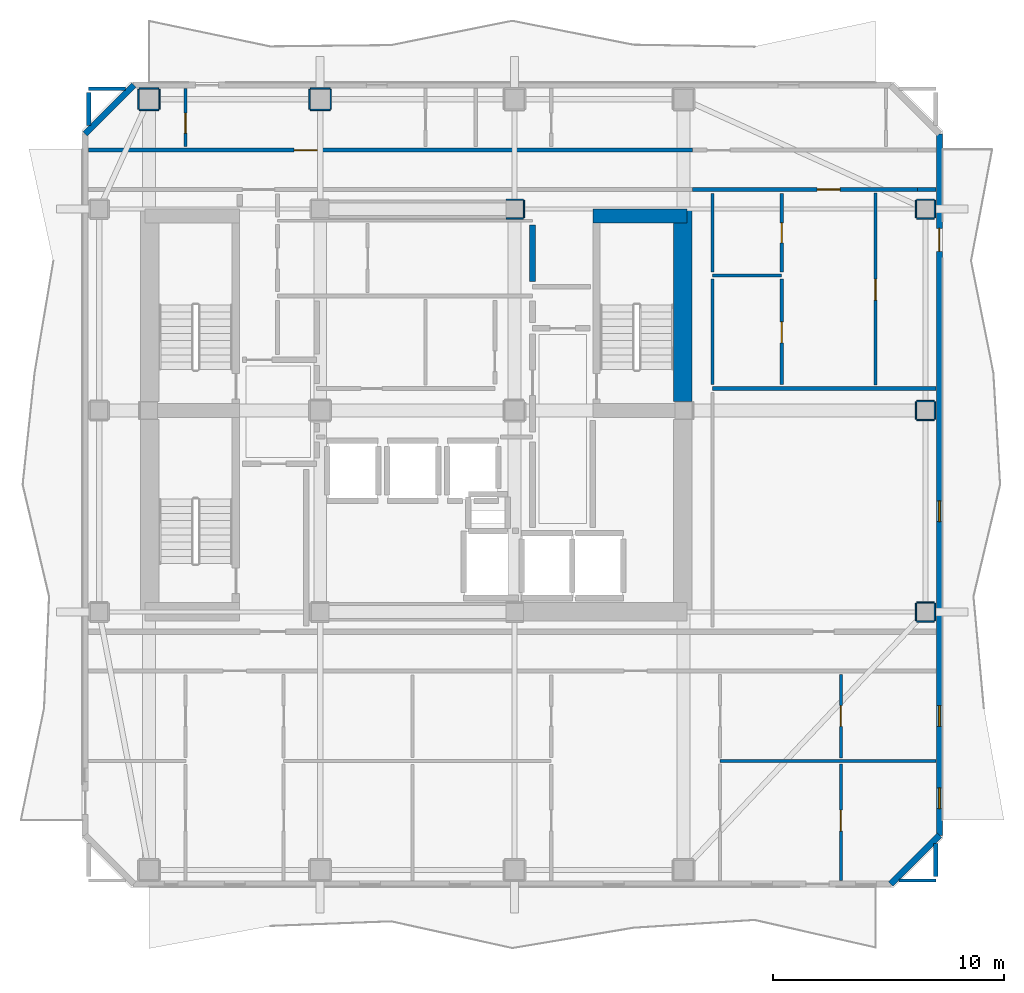
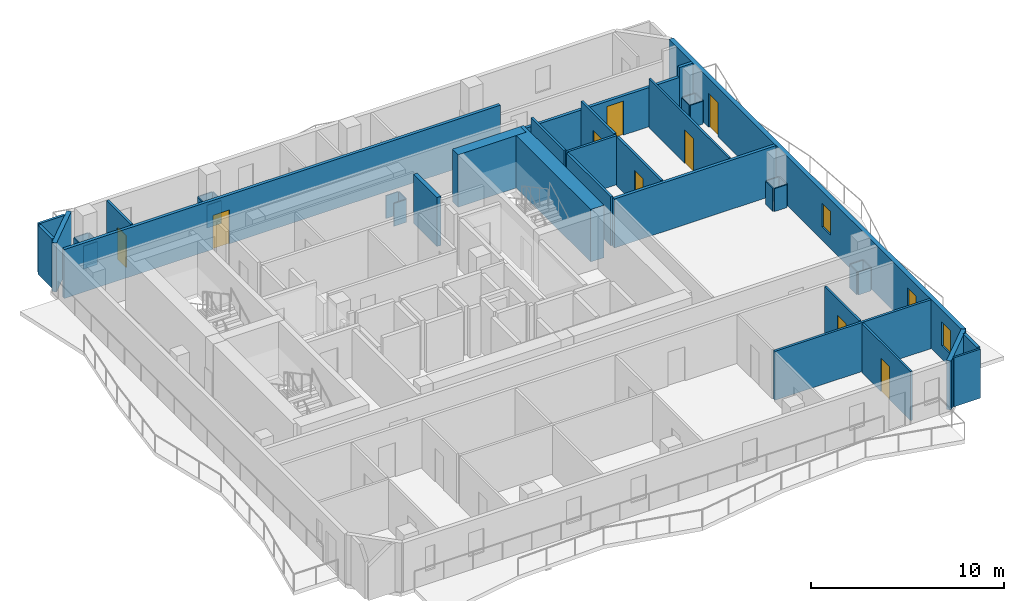
# One storey, part 5 of 9: 47 walls, 9 doors, 3 windows, 12 openings.
"""IFC4 building model written with IfcOpenShell, lengths in metres."""

from ifc_helpers import new_model, si_unit, direction, frame, frame_2d, origin, place, context, subcontext, project, spatial, rectangle, extrude, material, layer, layer_set, type_object, element, fill, save


model = new_model("IFC4")

# Units and contexts
model_context = context("Model", 3, precision=1e-05, world=origin(), true_north=direction((0.0, 1.0)))
body_context = subcontext(model_context, "Body", "Model", "MODEL_VIEW")
ifc_project = project(units=[si_unit("LENGTHUNIT", "METRE"), si_unit("AREAUNIT", "SQUARE_METRE"), si_unit("VOLUMEUNIT", "CUBIC_METRE"), si_unit("PLANEANGLEUNIT", "RADIAN"), si_unit("MASSUNIT", "GRAM", prefix="KILO")], contexts=[model_context])

# Site, building, storey
site_placement = place(None, origin())
site = spatial("IfcSite", under=ifc_project, at=site_placement, CompositionType="ELEMENT")
building_placement = place(site_placement, origin())
building = spatial("IfcBuilding", under=site, at=building_placement, Name="Solanera Arch Residences", CompositionType="ELEMENT")
storey_placement = place(building_placement, frame((0.0, 0.0, 220.0400390625)))
storey = spatial("IfcBuildingStorey", under=building, at=storey_placement, Name="L64", CompositionType="ELEMENT", Elevation=220.0400390625)

# Walls
ifc_material_1 = material(Name="Fire-Rated Gypsum Stud Partition", Category="gypsum")
ifc_layer_1 = layer(ifc_material_1, 0.06005859375)
ifc_layer_set_1 = layer_set([ifc_layer_1], Name="Fire-Rated Gypsum Stud Partition")
wall_type_1 = type_object("IfcWallType", Name="Column Acoustic Furring Wall 60", PredefinedType="PARTITIONING", material=ifc_layer_set_1)
for number, where, z_axis, x_axis, name in (
    (1, (28.8330078125, 38.992919921875, 0.0), (0.0, 0.0, 1.0), (1.0, 0.0, 0.0), "L64 Column Furring 4S"),
    (2, (28.8330078125, 39.806884765625, 0.0), (0.0, 0.0, 1.0), (1.0, 0.0, 0.0), "L64 Column Furring 4N"),
):
    element("IfcWall", number, at=place(storey_placement, frame(where, z_axis=z_axis, x_axis=x_axis)), inside=storey, type_object=wall_type_1, Name=name, PredefinedType="PARTITIONING", context=body_context, shape_type="SweptSolid", body=[
        extrude(rectangle(XDim=0.741943359375, YDim=0.06005859375, at=frame_2d((0.37109375, 0.0))), origin(), (0.0, 0.0, 1.0), 1.449951171875),
    ])
wall_1_placement = place(storey_placement, frame((29.60693359375, 39.02490234375, 0.0), z_axis=(0.0, 0.0, 1.0), x_axis=(0.0, 1.0, 0.0)))
element("IfcWall", 3, at=wall_1_placement, inside=storey, type_object=wall_type_1, Name="L64 Column Furring 4E", PredefinedType="PARTITIONING", context=body_context, shape_type="SweptSolid", body=[
    extrude(rectangle(XDim=0.75, YDim=0.06005859375, at=frame_2d((0.375, 0.0))), origin(), (0.0, 0.0, 1.0), 1.449951171875),
])
for number, where, z_axis, x_axis, name in (
    (4, (12.97509765625, 43.693115234375, 0.0), (0.0, 0.0, 1.0), (1.0, 0.0, 0.0), "L64 Column Furring 10S"),
    (5, (12.97509765625, 44.60693359375, 0.0), (0.0, 0.0, 1.0), (1.0, 0.0, 0.0), "L64 Column Furring 10N"),
    (6, (12.943115234375, 43.72509765625, 0.0), (0.0, 0.0, 1.0), (0.0, 1.0, 0.0), "L64 Column Furring 10W"),
    (7, (13.85693359375, 43.72509765625, 0.0), (0.0, 0.0, 1.0), (0.0, 1.0, 0.0), "L64 Column Furring 10E"),
):
    element("IfcWall", number, at=place(storey_placement, frame(where, z_axis=z_axis, x_axis=x_axis)), inside=storey, type_object=wall_type_1, Name=name, PredefinedType="PARTITIONING", context=body_context, shape_type="SweptSolid", body=[
        extrude(rectangle(XDim=0.849853515625, YDim=0.06005859375, at=frame_2d((0.4248046875, 0.0))), origin(), (0.0, 0.0, 1.0), 1.449951171875),
    ])
for number, where, z_axis, x_axis, name in (
    (8, (20.375, 43.693115234375, 0.0), (0.0, 0.0, 1.0), (1.0, 0.0, 0.0), "L64 Column Furring 12S"),
    (9, (20.375, 44.60693359375, 0.0), (0.0, 0.0, 1.0), (1.0, 0.0, 0.0), "L64 Column Furring 12N"),
):
    element("IfcWall", number, at=place(storey_placement, frame(where, z_axis=z_axis, x_axis=x_axis)), inside=storey, type_object=wall_type_1, Name=name, PredefinedType="PARTITIONING", context=body_context, shape_type="SweptSolid", body=[
        extrude(rectangle(XDim=0.85009765625, YDim=0.06005859375, at=frame_2d((0.425048828125, 0.0))), origin(), (0.0, 0.0, 1.0), 1.449951171875),
    ])
for number, where, z_axis, x_axis, name in (
    (10, (20.343017578125, 43.72509765625, 0.0), (0.0, 0.0, 1.0), (0.0, 1.0, 0.0), "L64 Column Furring 12W"),
    (11, (21.257080078125, 43.72509765625, 0.0), (0.0, 0.0, 1.0), (0.0, 1.0, 0.0), "L64 Column Furring 12E"),
):
    element("IfcWall", number, at=place(storey_placement, frame(where, z_axis=z_axis, x_axis=x_axis)), inside=storey, type_object=wall_type_1, Name=name, PredefinedType="PARTITIONING", context=body_context, shape_type="SweptSolid", body=[
        extrude(rectangle(XDim=0.849853515625, YDim=0.06005859375, at=frame_2d((0.4248046875, 0.0))), origin(), (0.0, 0.0, 1.0), 1.449951171875),
    ])
for number, where, z_axis, x_axis, name in (
    (12, (46.574951171875, 21.593017578125, 0.0), (0.0, 0.0, 1.0), (1.0, 0.0, 0.0), "L64 Column Furring 18S"),
    (13, (46.574951171875, 22.406982421875, 0.0), (0.0, 0.0, 1.0), (1.0, 0.0, 0.0), "L64 Column Furring 18N"),
    (14, (46.54296875, 21.625, 0.0), (0.0, 0.0, 1.0), (0.0, 1.0, 0.0), "L64 Column Furring 18W"),
    (15, (47.35693359375, 21.625, 0.0), (0.0, 0.0, 1.0), (0.0, 1.0, 0.0), "L64 Column Furring 18E"),
    (16, (46.574951171875, 30.29296875, 0.0), (0.0, 0.0, 1.0), (1.0, 0.0, 0.0), "L64 Column Furring 20S"),
    (17, (46.574951171875, 31.10693359375, 0.0), (0.0, 0.0, 1.0), (1.0, 0.0, 0.0), "L64 Column Furring 20N"),
    (18, (46.54296875, 30.324951171875, 0.0), (0.0, 0.0, 1.0), (0.0, 1.0, 0.0), "L64 Column Furring 20W"),
    (19, (47.35693359375, 30.324951171875, 0.0), (0.0, 0.0, 1.0), (0.0, 1.0, 0.0), "L64 Column Furring 20E"),
    (20, (46.574951171875, 38.992919921875, 0.0), (0.0, 0.0, 1.0), (1.0, 0.0, 0.0), "L64 Column Furring 22S"),
    (21, (46.574951171875, 39.806884765625, 0.0), (0.0, 0.0, 1.0), (1.0, 0.0, 0.0), "L64 Column Furring 22N"),
    (22, (46.54296875, 39.02490234375, 0.0), (0.0, 0.0, 1.0), (0.0, 1.0, 0.0), "L64 Column Furring 22W"),
    (23, (47.35693359375, 39.02490234375, 0.0), (0.0, 0.0, 1.0), (0.0, 1.0, 0.0), "L64 Column Furring 22E"),
):
    element("IfcWall", number, at=place(storey_placement, frame(where, z_axis=z_axis, x_axis=x_axis)), inside=storey, type_object=wall_type_1, Name=name, PredefinedType="PARTITIONING", context=body_context, shape_type="SweptSolid", body=[
        extrude(rectangle(XDim=0.75, YDim=0.06005859375, at=frame_2d((0.375, 0.0))), origin(), (0.0, 0.0, 1.0), 1.449951171875),
    ])
ifc_material_2 = material(Name="Concrete C40/50 (f'c = 45 MPa)", Category="concrete")
ifc_layer_2 = layer(ifc_material_2, 0.60009765625)
ifc_layer_set_2 = layer_set([ifc_layer_2], Name="Concrete C40/50 (f'c = 45 MPa)")
wall_type_2 = type_object("IfcWallType", Name="Core Shear Wall CW-600", PredefinedType="SHEAR", material=ifc_layer_set_2)
wall_2_placement = place(storey_placement, frame((32.580078125, 39.10009765625, 0.0), z_axis=(0.0, 0.0, 1.0), x_axis=(1.0, 0.0, 0.0)))
element("IfcWall", 24, at=wall_2_placement, inside=storey, type_object=wall_type_2, Name="L64 North-East Core Shear Wall", PredefinedType="SHEAR", context=body_context, shape_type="SweptSolid", body=[
    extrude(rectangle(XDim=4.079833984375, YDim=0.60009765625, at=frame_2d((2.0400390625, 0.0))), origin(), (0.0, 0.0, 1.0), 3.320068359375),
])
ifc_material_3 = material(Name="Concrete C40/50 (f'c = 45 MPa)", Category="concrete")
ifc_layer_3 = layer(ifc_material_3, 0.800048828125)
ifc_layer_set_3 = layer_set([ifc_layer_3], Name="Concrete C40/50 (f'c = 45 MPa)")
wall_type_3 = type_object("IfcWallType", Name="Core Shear Wall CW-800", PredefinedType="SHEAR", material=ifc_layer_set_3)
wall_3_placement = place(storey_placement, frame((36.4599609375, 31.080078125, 0.0), z_axis=(0.0, 0.0, 1.0), x_axis=(0.0, 1.0, 0.0)))
element("IfcWall", 25, at=wall_3_placement, inside=storey, type_object=wall_type_3, Name="L64 East Core North Shear Wall", PredefinedType="SHEAR", context=body_context, shape_type="SweptSolid", body=[
    extrude(rectangle(XDim=8.31982421875, YDim=0.800048828125, at=frame_2d((4.159912109375, 0.0))), origin(), (0.0, 0.0, 1.0), 3.320068359375),
])
ifc_material_4 = material(Name="Autoclaved Aerated Concrete Blockwork", Category="masonry")
ifc_layer_4 = layer(ifc_material_4, 0.179931640625)
ifc_layer_set_4 = layer_set([ifc_layer_4], Name="Autoclaved Aerated Concrete Blockwork")
wall_type_4 = type_object("IfcWallType", Name="Corridor Fire Partition 180", PredefinedType="PARTITIONING", material=ifc_layer_set_4)
wall_4_placement = place(storey_placement, frame((37.75, 31.64990234375, 0.0), z_axis=(0.0, 0.0, 1.0), x_axis=(1.0, 0.0, 0.0)))
element("IfcWall", 26, at=wall_4_placement, inside=storey, type_object=wall_type_4, Name="L64 Interior Partition H9", PredefinedType="PARTITIONING", context=body_context, shape_type="SweptSolid", body=[
    extrude(rectangle(XDim=9.6630859375, YDim=0.179931640625, at=frame_2d((4.83154296875, 0.0))), origin(), (0.0, 0.0, 1.0), 3.099853515625),
])

# Wall, opening, door
wall_5_placement = place(storey_placement, frame((36.888916015625, 40.25, 0.0), z_axis=(0.0, 0.0, 1.0), x_axis=(1.0, 0.0, 0.0)))
wall_5 = element("IfcWall", 27, at=wall_5_placement, inside=storey, type_object=wall_type_4, Name="L64 Interior Partition H12 2", PredefinedType="PARTITIONING", context=body_context, shape_type="SweptSolid", body=[
    extrude(rectangle(XDim=9.72216796875, YDim=0.179931640625, at=frame_2d((4.861083984375, 0.0))), origin(), (0.0, 0.0, 1.0), 2.47705078125),
])
opening_1_placement = place(wall_5_placement, frame((5.3798828125, 0.0, 0.0)))
opening_1 = element("IfcOpeningElement", 28, at=opening_1_placement, cuts=wall_5, Name="Opening DI-01", PredefinedType="OPENING", context=body_context, shape_type="SweptSolid", body=[
    extrude(rectangle(XDim=1.0, YDim=2.14990234375, at=frame_2d((0.5, 1.074951171875))), frame((0.0, 0.10009765625, 0.0), z_axis=(0.0, -1.0, 0.0), x_axis=(1.0, 0.0, 0.0)), (0.0, 0.0, 1.0), 0.1999),
])
ifc_material_5 = material(Name="Fire-Rated Architectural Hardwood", Category="wood")
door_type_1 = type_object("IfcDoorType", Name="Unit Entrance Fire Door DI-01", OperationType="NOTDEFINED", PredefinedType="DOOR", material=ifc_material_5)
door_1_placement = place(opening_1_placement, origin())
door_1 = element("IfcDoor", 29, at=door_1_placement, inside=storey, type_object=door_type_1, Name="DR-L64-IN-033", OperationType="SINGLE_SWING_RIGHT", OverallHeight=2.14990234375, OverallWidth=1.0, PredefinedType="DOOR", context=body_context, shape_type="SweptSolid", body=[
    extrude(rectangle(XDim=1.0, YDim=2.14990234375, at=frame_2d((0.5, 1.074951171875))), frame((0.0, 0.02490234375, 0.0), z_axis=(0.0, -1.0, 0.0), x_axis=(1.0, 0.0, 0.0)), (0.0, 0.0, 1.0), 0.050048828125),
])
fill(opening_1, door_1)

# Wall
wall_6_placement = place(storey_placement, frame((46.611083984375, 40.25, 0.0), z_axis=(0.0, 0.0, 1.0), x_axis=(1.0, 0.0, 0.0)))
element("IfcWall", 30, at=wall_6_placement, inside=storey, type_object=wall_type_4, Name="L64 Interior Partition H12 3", PredefinedType="PARTITIONING", context=body_context, shape_type="SweptSolid", body=[
    extrude(rectangle(XDim=0.802001953125, YDim=0.179931640625, at=frame_2d((0.40087890625, 0.0))), origin(), (0.0, 0.0, 1.0), 3.099853515625),
])

# Wall, opening, door
wall_7_placement = place(storey_placement, frame((10.787109375, 41.949951171875, 0.0), z_axis=(0.0, 0.0, 1.0), x_axis=(1.0, 0.0, 0.0)))
wall_7 = element("IfcWall", 31, at=wall_7_placement, inside=storey, type_object=wall_type_4, Name="L64 Interior Partition H13 1", PredefinedType="PARTITIONING", context=body_context, shape_type="SweptSolid", body=[
    extrude(rectangle(XDim=26.101806640625, YDim=0.179931640625, at=frame_2d((13.05078125, 0.0))), origin(), (0.0, 0.0, 1.0), 3.099853515625),
])
opening_2_placement = place(wall_7_placement, frame((8.887939453125, 0.0, 0.0)))
opening_2 = element("IfcOpeningElement", 32, at=opening_2_placement, cuts=wall_7, Name="Opening DI-01", PredefinedType="OPENING", context=body_context, shape_type="SweptSolid", body=[
    extrude(rectangle(XDim=1.0, YDim=2.14990234375, at=frame_2d((0.5, 1.074951171875))), frame((0.0, 0.10009765625, 0.0), z_axis=(0.0, -1.0, 0.0), x_axis=(1.0, 0.0, 0.0)), (0.0, 0.0, 1.0), 0.1999),
])
door_2_placement = place(opening_2_placement, origin())
door_2 = element("IfcDoor", 33, at=door_2_placement, inside=storey, type_object=door_type_1, Name="DR-L64-IN-026", OperationType="SINGLE_SWING_LEFT", OverallHeight=2.14990234375, OverallWidth=1.0, PredefinedType="DOOR", context=body_context, shape_type="SweptSolid", body=[
    extrude(rectangle(XDim=1.0, YDim=2.14990234375, at=frame_2d((0.5, 1.074951171875))), frame((0.0, 0.02490234375, 0.0), z_axis=(0.0, -1.0, 0.0), x_axis=(1.0, 0.0, 0.0)), (0.0, 0.0, 1.0), 0.050048828125),
])
fill(opening_2, door_2)

# Walls
wall_8_placement = place(storey_placement, frame((10.800048828125, 43.010986328125, 0.0), z_axis=(0.0, 0.0, 1.0), x_axis=(0.0, 1.0, 0.0)))
element("IfcWall", 34, at=wall_8_placement, inside=storey, type_object=wall_type_4, Name="L64 Interior Partition V7", PredefinedType="PARTITIONING", context=body_context, shape_type="SweptSolid", body=[
    extrude(rectangle(XDim=1.4208984375, YDim=0.179931640625, at=frame_2d((0.71044921875, 0.0))), origin(), (0.0, 0.0, 1.0), 3.099853515625),
])
wall_9_placement = place(storey_placement, frame((47.39990234375, 10.55810546875, 0.0), z_axis=(0.0, 0.0, 1.0), x_axis=(0.0, 1.0, 0.0)))
element("IfcWall", 35, at=wall_9_placement, inside=storey, type_object=wall_type_4, Name="L64 Interior Partition V10 1", PredefinedType="PARTITIONING", context=body_context, shape_type="SweptSolid", body=[
    extrude(rectangle(XDim=1.430908203125, YDim=0.179931640625, at=frame_2d((0.71533203125, 0.0))), origin(), (0.0, 0.0, 1.0), 3.099853515625),
])
ifc_material_6 = material(Name="Precast Concrete C35/45", Category="concrete")
ifc_layer_5 = layer(ifc_material_6, 0.260009765625)
ifc_layer_set_5 = layer_set([ifc_layer_5], Name="Precast Concrete C35/45")
wall_type_5 = type_object("IfcWallType", Name="Exterior Wall Precast Masonry-Frame 260", PredefinedType="STANDARD", material=ifc_layer_set_5)
wall_10_placement = place(storey_placement, frame((10.64501953125, 42.655029296875, 0.0), z_axis=(0.0, 0.0, 1.0), x_axis=(0.707147883682, 0.707065676302, 0.0)))
element("IfcWall", 36, at=wall_10_placement, inside=storey, type_object=wall_type_5, Name="L64 Tower Exterior Precast Masonry-Frame Wall CH1", PredefinedType="STANDARD", context=body_context, shape_type="SweptSolid", body=[
    extrude(rectangle(XDim=2.9697265625, YDim=0.260009765625, at=frame_2d((1.48486328125, 0.0))), origin(), (0.0, 0.0, 1.0), 3.099853515625),
])

# Wall, openings, door, windows
wall_11_placement = place(storey_placement, frame((47.554931640625, 42.655029296875, 0.0), z_axis=(0.0, 0.0, 1.0), x_axis=(0.0, -1.0, 0.0)))
wall_11 = element("IfcWall", 37, at=wall_11_placement, inside=storey, type_object=wall_type_5, Name="L64 Tower Exterior Precast Masonry-Frame Wall E", PredefinedType="STANDARD", context=body_context, shape_type="SweptSolid", body=[
    extrude(rectangle(XDim=30.31005859375, YDim=0.260009765625, at=frame_2d((15.155029296875, 0.0))), origin(), (0.0, 0.0, 1.0), 3.099853515625),
])
opening_3_placement = place(wall_11_placement, frame((4.08203125, 0.0, 0.0)))
opening_3 = element("IfcOpeningElement", 38, at=opening_3_placement, cuts=wall_11, Name="Opening DB-01", PredefinedType="OPENING", context=body_context, shape_type="SweptSolid", body=[
    extrude(rectangle(XDim=1.0, YDim=2.14990234375, at=frame_2d((0.5, 1.074951171875))), frame((0.0, 0.139892578125, 0.0), z_axis=(0.0, -1.0, 0.0), x_axis=(1.0, 0.0, 0.0)), (0.0, 0.0, 1.0), 0.28),
])
opening_4_placement = place(wall_11_placement, frame((24.700927734375, 0.0, 0.85009765625)))
opening_4 = element("IfcOpeningElement", 39, at=opening_4_placement, cuts=wall_11, Name="Opening W-06", PredefinedType="OPENING", context=body_context, shape_type="SweptSolid", body=[
    extrude(rectangle(XDim=0.89990234375, YDim=1.5, at=frame_2d((0.449951171875, 0.75))), frame((0.0, 0.139892578125, 0.0), z_axis=(0.0, -1.0, 0.0), x_axis=(1.0, 0.0, 0.0)), (0.0, 0.0, 1.0), 0.28),
])
opening_5_placement = place(wall_11_placement, frame((28.258056640625, 0.0, 0.85009765625)))
opening_5 = element("IfcOpeningElement", 40, at=opening_5_placement, cuts=wall_11, Name="Opening W-06", PredefinedType="OPENING", context=body_context, shape_type="SweptSolid", body=[
    extrude(rectangle(XDim=0.89990234375, YDim=1.5, at=frame_2d((0.449951171875, 0.75))), frame((0.0, 0.139892578125, 0.0), z_axis=(0.0, -1.0, 0.0), x_axis=(1.0, 0.0, 0.0)), (0.0, 0.0, 1.0), 0.28),
])
opening_6_placement = place(wall_11_placement, frame((15.85498046875, 0.0, 0.85009765625)))
opening_6 = element("IfcOpeningElement", 41, at=opening_6_placement, cuts=wall_11, Name="Opening W-06", PredefinedType="OPENING", context=body_context, shape_type="SweptSolid", body=[
    extrude(rectangle(XDim=0.89990234375, YDim=1.5, at=frame_2d((0.449951171875, 0.75))), frame((0.0, 0.139892578125, 0.0), z_axis=(0.0, -1.0, 0.0), x_axis=(1.0, 0.0, 0.0)), (0.0, 0.0, 1.0), 0.28),
])
ifc_material_7 = material(Name="Anodised Aluminium Alloy 6063-T6", Category="aluminium")
door_type_2 = type_object("IfcDoorType", Name="Glazed Balcony Swing Door DB-01", OperationType="NOTDEFINED", PredefinedType="DOOR", material=ifc_material_7)
door_3_placement = place(opening_3_placement, origin())
door_3 = element("IfcDoor", 42, at=door_3_placement, inside=storey, type_object=door_type_2, Name="DR-L64-OUT-03", OperationType="SINGLE_SWING_RIGHT", OverallHeight=2.14990234375, OverallWidth=1.0, PredefinedType="DOOR", context=body_context, shape_type="SweptSolid", body=[
    extrude(rectangle(XDim=1.0, YDim=2.14990234375, at=frame_2d((0.5, 1.074951171875))), frame((0.0, 0.02490234375, 0.0), z_axis=(0.0, -1.0, 0.0), x_axis=(1.0, 0.0, 0.0)), (0.0, 0.0, 1.0), 0.050048828125),
])
fill(opening_3, door_3)
ifc_material_8 = material(Name="Double Glazed Low-E Laminated Glass", Category="glass")
window_type = type_object("IfcWindowType", Name="Punched Window W-06", PartitioningType="SINGLE_PANEL", PredefinedType="WINDOW", material=ifc_material_8)
window_1_placement = place(opening_4_placement, origin())
window_1 = element("IfcWindow", 43, at=window_1_placement, inside=storey, type_object=window_type, Name="L64 6402-STD Punched Window", OverallHeight=1.5, OverallWidth=0.89990234375, PartitioningType="SINGLE_PANEL", PredefinedType="WINDOW", context=body_context, shape_type="SweptSolid", body=[
    extrude(rectangle(XDim=0.89990234375, YDim=1.5, at=frame_2d((0.449951171875, 0.75))), frame((0.0, 0.030029296875, 0.0), z_axis=(0.0, -1.0, 0.0), x_axis=(1.0, 0.0, 0.0)), (0.0, 0.0, 1.0), 0.06005859375),
])
fill(opening_4, window_1)
window_2_placement = place(opening_5_placement, origin())
window_2 = element("IfcWindow", 44, at=window_2_placement, inside=storey, type_object=window_type, Name="L64 6402-BR3 Punched Window", OverallHeight=1.5, OverallWidth=0.89990234375, PartitioningType="SINGLE_PANEL", PredefinedType="WINDOW", context=body_context, shape_type="SweptSolid", body=[
    extrude(rectangle(XDim=0.89990234375, YDim=1.5, at=frame_2d((0.449951171875, 0.75))), frame((0.0, 0.030029296875, 0.0), z_axis=(0.0, -1.0, 0.0), x_axis=(1.0, 0.0, 0.0)), (0.0, 0.0, 1.0), 0.06005859375),
])
fill(opening_5, window_2)
window_3_placement = place(opening_6_placement, origin())
window_3 = element("IfcWindow", 45, at=window_3_placement, inside=storey, type_object=window_type, Name="L64 AMN-STDE Punched Window", OverallHeight=1.5, OverallWidth=0.89990234375, PartitioningType="SINGLE_PANEL", PredefinedType="WINDOW", context=body_context, shape_type="SweptSolid", body=[
    extrude(rectangle(XDim=0.89990234375, YDim=1.5, at=frame_2d((0.449951171875, 0.75))), frame((0.0, 0.030029296875, 0.0), z_axis=(0.0, -1.0, 0.0), x_axis=(1.0, 0.0, 0.0)), (0.0, 0.0, 1.0), 0.06005859375),
])
fill(opening_6, window_3)

# Walls
wall_12_placement = place(storey_placement, frame((47.554931640625, 12.344970703125, 0.0), z_axis=(0.0, 0.0, 1.0), x_axis=(-0.707106781187, -0.707106781187, 0.0)))
element("IfcWall", 46, at=wall_12_placement, inside=storey, type_object=wall_type_5, Name="L64 Tower Exterior Precast Masonry-Frame Wall CH5", PredefinedType="STANDARD", context=body_context, shape_type="SweptSolid", body=[
    extrude(rectangle(XDim=2.9697265625, YDim=0.260009765625, at=frame_2d((1.48486328125, 0.0))), origin(), (0.0, 0.0, 1.0), 3.099853515625),
])
ifc_material_9 = material(Name="Autoclaved Aerated Concrete Blockwork", Category="masonry")
ifc_layer_6 = layer(ifc_material_9, 0.239990234375)
ifc_layer_set_6 = layer_set([ifc_layer_6], Name="Autoclaved Aerated Concrete Blockwork")
wall_type_6 = type_object("IfcWallType", Name="Shaft Wall Fire-Rated 240", PredefinedType="PARTITIONING", material=ifc_layer_set_6)
wall_13_placement = place(storey_placement, frame((29.97509765625, 36.26806640625, 0.0), z_axis=(0.0, 0.0, 1.0), x_axis=(0.0, 1.0, 0.0)))
element("IfcWall", 47, at=wall_13_placement, inside=storey, type_object=wall_type_6, Name="L64 Interior Partition V4 4", PredefinedType="PARTITIONING", context=body_context, shape_type="SweptSolid", body=[
    extrude(rectangle(XDim=2.44384765625, YDim=0.239990234375, at=frame_2d((1.221923828125, 0.0))), origin(), (0.0, 0.0, 1.0), 3.099853515625),
])
ifc_material_10 = material(Name="Fire-Rated Gypsum Stud Partition", Category="gypsum")
ifc_layer_7 = layer(ifc_material_10, 0.1201171875)
ifc_layer_set_7 = layer_set([ifc_layer_7], Name="Fire-Rated Gypsum Stud Partition")
wall_type_7 = type_object("IfcWallType", Name="Unit Drywall Partition 120", PredefinedType="PARTITIONING", material=ifc_layer_set_7)
wall_14_placement = place(storey_placement, frame((45.81103515625, 10.39990234375, 0.0), z_axis=(0.0, 0.0, 1.0), x_axis=(1.0, 0.0, 0.0)))
element("IfcWall", 48, at=wall_14_placement, inside=storey, type_object=wall_type_7, Name="L64 Interior Partition H19 2", PredefinedType="PARTITIONING", context=body_context, shape_type="SweptSolid", body=[
    extrude(rectangle(XDim=1.5888671875, YDim=0.1201171875, at=frame_2d((0.79443359375, 0.0))), origin(), (0.0, 0.0, 1.0), 3.099853515625),
])

# Wall, opening, door
wall_15_placement = place(storey_placement, frame((43.299072265625, 10.386962890625, 0.0), z_axis=(0.0, 0.0, 1.0), x_axis=(0.0, 1.0, 0.0)))
wall_15 = element("IfcWall", 49, at=wall_15_placement, inside=storey, type_object=wall_type_7, Name="L64 Interior Partition V24 1", PredefinedType="PARTITIONING", context=body_context, shape_type="SweptSolid", body=[
    extrude(rectangle(XDim=5.033935546875, YDim=0.1201171875, at=frame_2d((2.51708984375, 0.0))), origin(), (0.0, 0.0, 1.0), 3.099853515625),
])
opening_7_placement = place(wall_15_placement, frame((2.14306640625, 0.0, 0.0)))
opening_7 = element("IfcOpeningElement", 50, at=opening_7_placement, cuts=wall_15, Name="Opening DI-03", PredefinedType="OPENING", context=body_context, shape_type="SweptSolid", body=[
    extrude(rectangle(XDim=0.89990234375, YDim=2.10009765625, at=frame_2d((0.449951171875, 1.050048828125))), frame((0.0, 0.070068359375, 0.0), z_axis=(0.0, -1.0, 0.0), x_axis=(1.0, 0.0, 0.0)), (0.0, 0.0, 1.0), 0.1401),
])
ifc_material_11 = material(Name="Fire-Rated Architectural Hardwood", Category="wood")
door_type_3 = type_object("IfcDoorType", Name="Bedroom Swing Door DI-03", OperationType="NOTDEFINED", PredefinedType="DOOR", material=ifc_material_11)
door_4_placement = place(opening_7_placement, origin())
door_4 = element("IfcDoor", 51, at=door_4_placement, inside=storey, type_object=door_type_3, Name="DR-L64-IN-025", OperationType="SINGLE_SWING_RIGHT", OverallHeight=2.10009765625, OverallWidth=0.89990234375, PredefinedType="DOOR", context=body_context, shape_type="SweptSolid", body=[
    extrude(rectangle(XDim=0.89990234375, YDim=2.10009765625, at=frame_2d((0.449951171875, 1.050048828125))), frame((0.0, 0.02490234375, 0.0), z_axis=(0.0, -1.0, 0.0), x_axis=(1.0, 0.0, 0.0)), (0.0, 0.0, 1.0), 0.050048828125),
])
fill(opening_7, door_4)

wall_16_placement = place(storey_placement, frame((43.299072265625, 15.697021484375, 0.0), z_axis=(0.0, 0.0, 1.0), x_axis=(0.0, 1.0, 0.0)))
wall_16 = element("IfcWall", 52, at=wall_16_placement, inside=storey, type_object=wall_type_7, Name="L64 Interior Partition V24 2", PredefinedType="PARTITIONING", context=body_context, shape_type="SweptSolid", body=[
    extrude(rectangle(XDim=3.594970703125, YDim=0.1201171875, at=frame_2d((1.79736328125, 0.0))), origin(), (0.0, 0.0, 1.0), 3.099853515625),
])
opening_8_placement = place(wall_16_placement, frame((1.35791015625, 0.0, 0.0)))
opening_8 = element("IfcOpeningElement", 53, at=opening_8_placement, cuts=wall_16, Name="Opening DI-02", PredefinedType="OPENING", context=body_context, shape_type="SweptSolid", body=[
    extrude(rectangle(XDim=0.89990234375, YDim=2.10009765625, at=frame_2d((0.449951171875, 1.050048828125))), frame((0.0, 0.070068359375, 0.0), z_axis=(0.0, -1.0, 0.0), x_axis=(1.0, 0.0, 0.0)), (0.0, 0.0, 1.0), 0.1401),
])
ifc_material_12 = material(Name="Fire-Rated Architectural Hardwood", Category="wood")
door_type_4 = type_object("IfcDoorType", Name="Suite Room Swing Door DI-02", OperationType="NOTDEFINED", PredefinedType="DOOR", material=ifc_material_12)
door_5_placement = place(opening_8_placement, origin())
door_5 = element("IfcDoor", 54, at=door_5_placement, inside=storey, type_object=door_type_4, Name="DR-L64-IN-023", OperationType="SINGLE_SWING_RIGHT", OverallHeight=2.10009765625, OverallWidth=0.89990234375, PredefinedType="DOOR", context=body_context, shape_type="SweptSolid", body=[
    extrude(rectangle(XDim=0.89990234375, YDim=2.10009765625, at=frame_2d((0.449951171875, 1.050048828125))), frame((0.0, 0.02490234375, 0.0), z_axis=(0.0, -1.0, 0.0), x_axis=(1.0, 0.0, 0.0)), (0.0, 0.0, 1.0), 0.050048828125),
])
fill(opening_8, door_5)

wall_17_placement = place(storey_placement, frame((44.794921875, 31.80810546875, 0.0), z_axis=(0.0, 0.0, 1.0), x_axis=(0.0, 1.0, 0.0)))
wall_17 = element("IfcWall", 55, at=wall_17_placement, inside=storey, type_object=wall_type_7, Name="L64 Interior Partition V25", PredefinedType="PARTITIONING", context=body_context, shape_type="SweptSolid", body=[
    extrude(rectangle(XDim=8.283935546875, YDim=0.1201171875, at=frame_2d((4.14208984375, 0.0))), origin(), (0.0, 0.0, 1.0), 3.099853515625),
])
opening_9_placement = place(wall_17_placement, frame((3.6669921875, 0.0, 0.0)))
opening_9 = element("IfcOpeningElement", 56, at=opening_9_placement, cuts=wall_17, Name="Opening DI-02", PredefinedType="OPENING", context=body_context, shape_type="SweptSolid", body=[
    extrude(rectangle(XDim=0.89990234375, YDim=2.10009765625, at=frame_2d((0.449951171875, 1.050048828125))), frame((0.0, 0.070068359375, 0.0), z_axis=(0.0, -1.0, 0.0), x_axis=(1.0, 0.0, 0.0)), (0.0, 0.0, 1.0), 0.1401),
])
door_6_placement = place(opening_9_placement, origin())
door_6 = element("IfcDoor", 57, at=door_6_placement, inside=storey, type_object=door_type_4, Name="DR-L64-IN-036", OperationType="SINGLE_SWING_LEFT", OverallHeight=2.10009765625, OverallWidth=0.89990234375, PredefinedType="DOOR", context=body_context, shape_type="SweptSolid", body=[
    extrude(rectangle(XDim=0.89990234375, YDim=2.10009765625, at=frame_2d((0.449951171875, 1.050048828125))), frame((0.0, 0.02490234375, 0.0), z_axis=(0.0, -1.0, 0.0), x_axis=(1.0, 0.0, 0.0)), (0.0, 0.0, 1.0), 0.050048828125),
])
fill(opening_9, door_6)

# Walls
ifc_material_13 = material(Name="Autoclaved Aerated Concrete Blockwork", Category="masonry")
ifc_layer_8 = layer(ifc_material_13, 0.139892578125)
ifc_layer_set_8 = layer_set([ifc_layer_8], Name="Autoclaved Aerated Concrete Blockwork")
wall_type_8 = type_object("IfcWallType", Name="Wet-Room Partition 140", PredefinedType="PARTITIONING", material=ifc_layer_set_8)
wall_18_placement = place(storey_placement, frame((38.080078125, 15.55908203125, 0.0), z_axis=(0.0, 0.0, 1.0), x_axis=(1.0, 0.0, 0.0)))
element("IfcWall", 58, at=wall_18_placement, inside=storey, type_object=wall_type_8, Name="L64 Interior Partition H16", PredefinedType="PARTITIONING", context=body_context, shape_type="SweptSolid", body=[
    extrude(rectangle(XDim=9.3330078125, YDim=0.139892578125, at=frame_2d((4.66650390625, 0.0))), origin(), (0.0, 0.0, 1.0), 3.099853515625),
])
wall_19_placement = place(storey_placement, frame((37.75, 36.531005859375, 0.0), z_axis=(0.0, 0.0, 1.0), x_axis=(1.0, 0.0, 0.0)))
element("IfcWall", 59, at=wall_19_placement, inside=storey, type_object=wall_type_8, Name="L64 Interior Partition H17", PredefinedType="PARTITIONING", context=body_context, shape_type="SweptSolid", body=[
    extrude(rectangle(XDim=2.991943359375, YDim=0.139892578125, at=frame_2d((1.49609375, 0.0))), origin(), (0.0, 0.0, 1.0), 3.099853515625),
])
wall_20_placement = place(storey_placement, frame((10.800048828125, 44.60009765625, 0.0), z_axis=(0.0, 0.0, 1.0), x_axis=(1.0, 0.0, 0.0)))
element("IfcWall", 60, at=wall_20_placement, inside=storey, type_object=wall_type_8, Name="L64 Interior Partition H18 1", PredefinedType="PARTITIONING", context=body_context, shape_type="SweptSolid", body=[
    extrude(rectangle(XDim=1.5888671875, YDim=0.139892578125, at=frame_2d((0.79443359375, 0.0))), origin(), (0.0, 0.0, 1.0), 3.099853515625),
])

# Wall, opening, door
wall_21_placement = place(storey_placement, frame((14.97998046875, 42.117919921875, 0.0), z_axis=(0.0, 0.0, 1.0), x_axis=(0.0, 1.0, 0.0)))
wall_21 = element("IfcWall", 61, at=wall_21_placement, inside=storey, type_object=wall_type_8, Name="L64 Interior Partition V12", PredefinedType="PARTITIONING", context=body_context, shape_type="SweptSolid", body=[
    extrude(rectangle(XDim=2.4951171875, YDim=0.139892578125, at=frame_2d((1.24755859375, 0.0))), origin(), (0.0, 0.0, 1.0), 3.099853515625),
])
opening_10_placement = place(wall_21_placement, frame((0.56689453125, 0.0, 0.0)))
opening_10 = element("IfcOpeningElement", 62, at=opening_10_placement, cuts=wall_21, Name="Opening DI-05", PredefinedType="OPENING", context=body_context, shape_type="SweptSolid", body=[
    extrude(rectangle(XDim=0.860107421875, YDim=2.02001953125, at=frame_2d((0.43017578125, 1.010009765625))), frame((0.0, 0.079833984375, 0.0), z_axis=(0.0, -1.0, 0.0), x_axis=(1.0, 0.0, 0.0)), (0.0, 0.0, 1.0), 0.1599),
])
ifc_material_14 = material(Name="Fire-Rated Architectural Hardwood", Category="wood")
door_type_5 = type_object("IfcDoorType", Name="Bathroom Swing Door DI-05", OperationType="NOTDEFINED", PredefinedType="DOOR", material=ifc_material_14)
door_7_placement = place(opening_10_placement, origin())
door_7 = element("IfcDoor", 63, at=door_7_placement, inside=storey, type_object=door_type_5, Name="DR-L64-IN-027", OperationType="SINGLE_SWING_RIGHT", OverallHeight=2.02001953125, OverallWidth=0.860107421875, PredefinedType="DOOR", context=body_context, shape_type="SweptSolid", body=[
    extrude(rectangle(XDim=0.860107421875, YDim=2.02001953125, at=frame_2d((0.43017578125, 1.010009765625))), frame((0.0, 0.02490234375, 0.0), z_axis=(0.0, -1.0, 0.0), x_axis=(1.0, 0.0, 0.0)), (0.0, 0.0, 1.0), 0.050048828125),
])
fill(opening_10, door_7)

# Walls
wall_22_placement = place(storey_placement, frame((37.75, 31.818115234375, 0.0), z_axis=(0.0, 0.0, 1.0), x_axis=(0.0, 1.0, 0.0)))
element("IfcWall", 64, at=wall_22_placement, inside=storey, type_object=wall_type_8, Name="L64 Interior Partition V17 2", PredefinedType="PARTITIONING", context=body_context, shape_type="SweptSolid", body=[
    extrude(rectangle(XDim=4.56494140625, YDim=0.139892578125, at=frame_2d((2.282470703125, 0.0))), origin(), (0.0, 0.0, 1.0), 3.099853515625),
])
wall_23_placement = place(storey_placement, frame((37.75, 36.678955078125, 0.0), z_axis=(0.0, 0.0, 1.0), x_axis=(0.0, 1.0, 0.0)))
element("IfcWall", 65, at=wall_23_placement, inside=storey, type_object=wall_type_8, Name="L64 Interior Partition V17 3", PredefinedType="PARTITIONING", context=body_context, shape_type="SweptSolid", body=[
    extrude(rectangle(XDim=3.403076171875, YDim=0.139892578125, at=frame_2d((1.70166015625, 0.0))), origin(), (0.0, 0.0, 1.0), 3.099853515625),
])

# Wall, opening, door
wall_24_placement = place(storey_placement, frame((40.741943359375, 31.818115234375, 0.0), z_axis=(0.0, 0.0, 1.0), x_axis=(0.0, 1.0, 0.0)))
wall_24 = element("IfcWall", 66, at=wall_24_placement, inside=storey, type_object=wall_type_8, Name="L64 Interior Partition V18 1", PredefinedType="PARTITIONING", context=body_context, shape_type="SweptSolid", body=[
    extrude(rectangle(XDim=4.56494140625, YDim=0.139892578125, at=frame_2d((2.282470703125, 0.0))), origin(), (0.0, 0.0, 1.0), 3.099853515625),
])
opening_11_placement = place(wall_24_placement, frame((1.81005859375, 0.0, 0.0)))
opening_11 = element("IfcOpeningElement", 67, at=opening_11_placement, cuts=wall_24, Name="Opening DI-03", PredefinedType="OPENING", context=body_context, shape_type="SweptSolid", body=[
    extrude(rectangle(XDim=0.89990234375, YDim=2.10009765625, at=frame_2d((0.449951171875, 1.050048828125))), frame((0.0, 0.079833984375, 0.0), z_axis=(0.0, -1.0, 0.0), x_axis=(1.0, 0.0, 0.0)), (0.0, 0.0, 1.0), 0.1599),
])
door_8_placement = place(opening_11_placement, origin())
door_8 = element("IfcDoor", 68, at=door_8_placement, inside=storey, type_object=door_type_3, Name="DR-L64-IN-035", OperationType="SINGLE_SWING_RIGHT", OverallHeight=2.10009765625, OverallWidth=0.89990234375, PredefinedType="DOOR", context=body_context, shape_type="SweptSolid", body=[
    extrude(rectangle(XDim=0.89990234375, YDim=2.10009765625, at=frame_2d((0.449951171875, 1.050048828125))), frame((0.0, 0.02490234375, 0.0), z_axis=(0.0, -1.0, 0.0), x_axis=(1.0, 0.0, 0.0)), (0.0, 0.0, 1.0), 0.050048828125),
])
fill(opening_11, door_8)

wall_25_placement = place(storey_placement, frame((40.741943359375, 36.678955078125, 0.0), z_axis=(0.0, 0.0, 1.0), x_axis=(0.0, 1.0, 0.0)))
wall_25 = element("IfcWall", 69, at=wall_25_placement, inside=storey, type_object=wall_type_8, Name="L64 Interior Partition V18 2", PredefinedType="PARTITIONING", context=body_context, shape_type="SweptSolid", body=[
    extrude(rectangle(XDim=3.403076171875, YDim=0.139892578125, at=frame_2d((1.70166015625, 0.0))), origin(), (0.0, 0.0, 1.0), 3.099853515625),
])
opening_12_placement = place(wall_25_placement, frame((1.26904296875, 0.0, 0.0)))
opening_12 = element("IfcOpeningElement", 70, at=opening_12_placement, cuts=wall_25, Name="Opening DI-05", PredefinedType="OPENING", context=body_context, shape_type="SweptSolid", body=[
    extrude(rectangle(XDim=0.860107421875, YDim=2.02001953125, at=frame_2d((0.43017578125, 1.010009765625))), frame((0.0, 0.079833984375, 0.0), z_axis=(0.0, -1.0, 0.0), x_axis=(1.0, 0.0, 0.0)), (0.0, 0.0, 1.0), 0.1599),
])
door_9_placement = place(opening_12_placement, origin())
door_9 = element("IfcDoor", 71, at=door_9_placement, inside=storey, type_object=door_type_5, Name="DR-L64-IN-034", OperationType="SINGLE_SWING_LEFT", OverallHeight=2.02001953125, OverallWidth=0.860107421875, PredefinedType="DOOR", context=body_context, shape_type="SweptSolid", body=[
    extrude(rectangle(XDim=0.860107421875, YDim=2.02001953125, at=frame_2d((0.43017578125, 1.010009765625))), frame((0.0, 0.02490234375, 0.0), z_axis=(0.0, -1.0, 0.0), x_axis=(1.0, 0.0, 0.0)), (0.0, 0.0, 1.0), 0.050048828125),
])
fill(opening_12, door_9)

save(model, "model.ifc")
